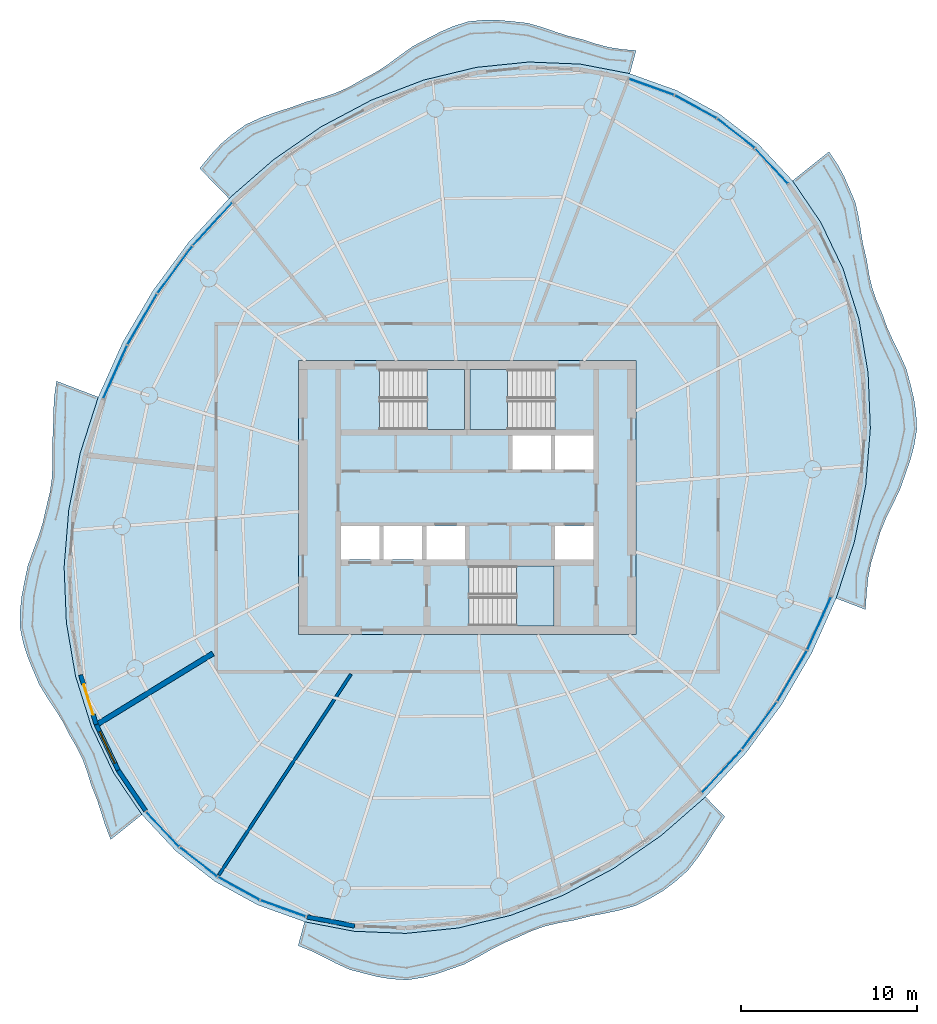
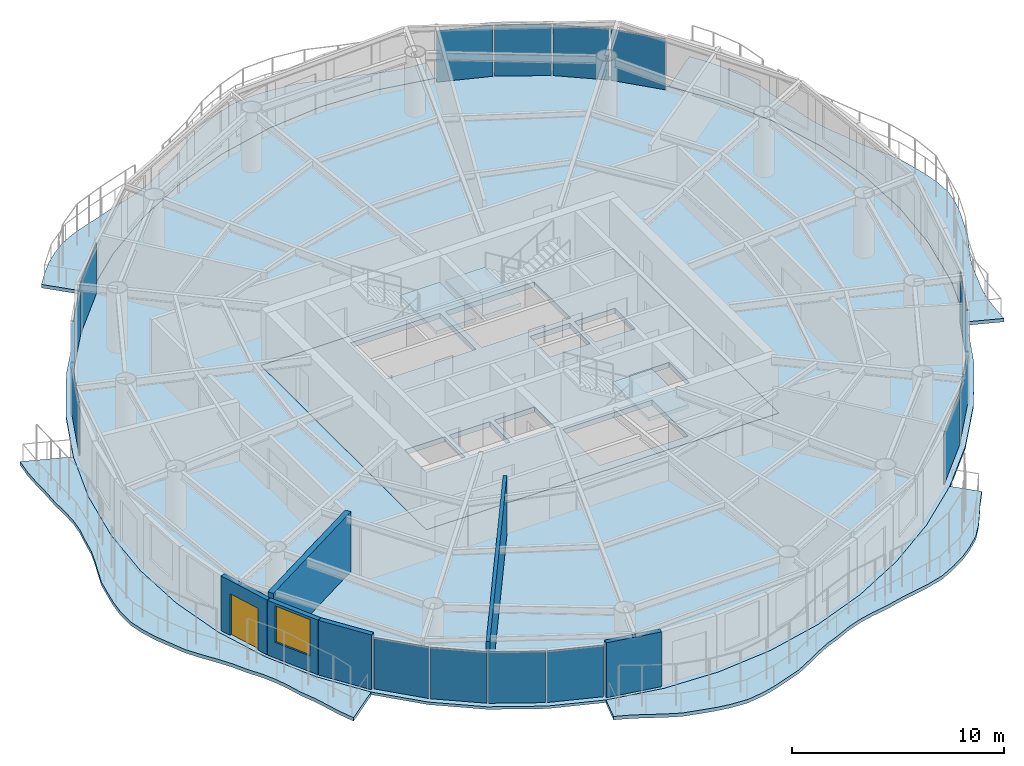
# One storey, part 7 of 15: 16 plates, 9 slabs, 6 walls, 1 door, 1 window, 2 openings, 19 elements without a shape of their own.
"""IFC4 building model written with IfcOpenShell, lengths in metres."""

from ifc_helpers import new_model, si_unit, direction, frame, frame_2d, origin, origin_2d, place, context, subcontext, project, spatial, polyline, rectangle, outline, extrude, material, layer, layer_set, type_object, element, fill, aggregate, save


model = new_model("IFC4")

# Units and contexts
model_context = context("Model", 3, precision=1e-05, world=origin(), true_north=direction((0.0, 1.0)))
body_context = subcontext(model_context, "Body", "Model", "MODEL_VIEW")
ifc_project = project(units=[si_unit("LENGTHUNIT", "METRE"), si_unit("AREAUNIT", "SQUARE_METRE"), si_unit("VOLUMEUNIT", "CUBIC_METRE"), si_unit("PLANEANGLEUNIT", "RADIAN"), si_unit("MASSUNIT", "GRAM", prefix="KILO")], contexts=[model_context])

# Site, building, storey
site_placement = place(None, origin())
site = spatial("IfcSite", under=ifc_project, at=site_placement, CompositionType="ELEMENT")
building_placement = place(site_placement, origin())
building = spatial("IfcBuilding", under=site, at=building_placement, Name="Vermilion Reach Broadcast Tower", CompositionType="ELEMENT")
storey_placement = place(building_placement, frame((0.0, 0.0, 261.300048828125)))
storey = spatial("IfcBuildingStorey", under=building, at=storey_placement, Name="L64", CompositionType="ELEMENT", Elevation=261.300048828125)

# Slabs
ifc_material_1 = material(Name="Concrete C40/50", Category="concrete")
ifc_layer_1 = layer(ifc_material_1, 0.199951171875)
ifc_layer_set_1 = layer_set([ifc_layer_1], Name="Balcony slab 200")
slab_type_1 = type_object("IfcSlabType", Name="Balcony slab 200", PredefinedType="FLOOR", material=ifc_layer_set_1)
placement_1 = place(storey_placement, frame((0.0, 0.0, -0.199951171875)))
element("IfcSlab", 1, at=placement_1, inside=storey, type_object=slab_type_1, Name="Balcony slab L64 group 1", PredefinedType="FLOOR", context=body_context, shape_type="SweptSolid", body=[
    extrude(outline(polyline([(3.257080078125, 24.145751953125), (0.435791015625, 24.686767578125), (-2.495849609375, 24.8056640625), (-5.4873046875, 24.5), (-8.4873046875, 23.775146484375), (-11.445068359375, 22.6435546875), (-14.3095703125, 21.124267578125), (-17.031982421875, 19.243896484375), (-19.5654296875, 17.033935546875), (-21.2333984375, 18.746826171875), (-20.61083984375, 19.51123046875), (-20.034423828125, 20.129150390625), (-19.397705078125, 20.677490234375), (-18.593017578125, 21.25146484375), (-17.697021484375, 21.662109375), (-16.888427734375, 21.94677734375), (-16.065673828125, 22.211181640625), (-15.167724609375, 22.53662109375), (-14.2724609375, 22.784423828125), (-13.491455078125, 23.0419921875), (-12.74755859375, 23.369384765625), (-11.97509765625, 23.809814453125), (-11.20068359375, 24.220458984375), (-10.5234375, 24.665283203125), (-9.862548828125, 25.153564453125), (-9.087646484375, 25.706787109375), (-8.2646484375, 26.138427734375), (-7.559814453125, 26.507568359375), (-6.84228515625, 26.8232421875), (-5.93408203125, 27.112548828125), (-5.00732421875, 27.198486328125), (-4.2509765625, 27.193359375), (-3.48828125, 27.124267578125), (-2.563720703125, 27.022705078125), (-1.68212890625, 26.769287109375), (-0.958251953125, 26.517822265625), (-0.233642578125, 26.2841796875), (0.59716796875, 26.0849609375), (1.385009765625, 25.82373046875), (2.08203125, 25.644775390625), (2.791748046875, 25.532470703125), (3.61767578125, 25.465087890625), (3.257080078125, 24.145751953125)])), origin(), (0.0, 0.0, 1.0), 0.199951171875),
])
element("IfcSlab", 2, at=placement_1, inside=storey, type_object=slab_type_1, Name="Balcony slab L64 group 2", PredefinedType="FLOOR", context=body_context, shape_type="SweptSolid", body=[
    extrude(outline(polyline([(-27.008544921875, 5.728759765625), (-28.037109375, 2.528076171875), (-28.688720703125, -0.7158203125), (-28.951904296875, -3.947509765625), (-28.822509765625, -7.111572265625), (-28.302490234375, -10.154052734375), (-27.401123046875, -13.022705078125), (-26.13330078125, -15.668701171875), (-24.521240234375, -18.04638671875), (-26.297119140625, -19.46240234375), (-26.62646484375, -18.60595703125), (-26.8486328125, -17.888916015625), (-27.079833984375, -17.177978515625), (-27.397705078125, -16.394775390625), (-27.644287109375, -15.5791015625), (-27.90087890625, -14.888916015625), (-28.22119140625, -14.22900390625), (-28.645751953125, -13.513671875), (-29.033447265625, -12.747802734375), (-29.44091796875, -12.087890625), (-29.87744140625, -11.43701171875), (-30.36328125, -10.651611328125), (-30.729736328125, -9.785888671875), (-31.030029296875, -9.054443359375), (-31.26904296875, -8.3125), (-31.46337890625, -7.39013671875), (-31.4580078125, -6.427001953125), (-31.368408203125, -5.631103515625), (-31.2158203125, -4.83251953125), (-31.02734375, -3.905517578125), (-30.705810546875, -2.9912109375), (-30.409912109375, -2.2021484375), (-30.15771484375, -1.409423828125), (-29.96630859375, -0.5361328125), (-29.751708984375, 0.34130859375), (-29.64013671875, 1.16259765625), (-29.6103515625, 2.000244140625), (-29.627197265625, 2.94189453125), (-29.57568359375, 3.9052734375), (-29.560546875, 4.783203125), (-29.521240234375, 5.6533203125), (-29.38623046875, 6.639404296875), (-27.008544921875, 5.728759765625)])), origin(), (0.0, 0.0, 1.0), 0.199951171875),
])
element("IfcSlab", 3, at=placement_1, inside=storey, type_object=slab_type_1, Name="Balcony slab L64 group 3", PredefinedType="FLOOR", context=body_context, shape_type="SweptSolid", body=[
    extrude(outline(polyline([(-15.257080078125, -24.145751953125), (-12.435791015625, -24.686767578125), (-9.504150390625, -24.8056640625), (-6.5126953125, -24.5), (-3.5126953125, -23.775146484375), (-0.554931640625, -22.6435546875), (2.3095703125, -21.124267578125), (5.031982421875, -19.243896484375), (7.5654296875, -17.033935546875), (8.661865234375, -18.16015625), (8.11865234375, -18.947021484375), (7.653076171875, -19.69189453125), (7.177734375, -20.425537109375), (6.565673828125, -21.216552734375), (5.837646484375, -21.865478515625), (5.176513671875, -22.364013671875), (4.46435546875, -22.788330078125), (3.586669921875, -23.225830078125), (2.650390625, -23.4970703125), (1.8232421875, -23.66748046875), (0.991943359375, -23.830322265625), (0.08740234375, -24.056884765625), (-0.801513671875, -24.214111328125), (-1.577880859375, -24.400634765625), (-2.32568359375, -24.661376953125), (-3.122802734375, -25.029541015625), (-3.92431640625, -25.35693359375), (-4.63037109375, -25.72021484375), (-5.327880859375, -26.11865234375), (-6.16015625, -26.56103515625), (-7.02685546875, -26.864501953125), (-7.7568359375, -27.11669921875), (-8.492431640625, -27.31298828125), (-9.4228515625, -27.459716796875), (-10.343505859375, -27.400634765625), (-11.07275390625, -27.28076171875), (-11.799560546875, -27.101318359375), (-12.68798828125, -26.870849609375), (-13.513671875, -26.494140625), (-14.17822265625, -26.145751953125), (-14.84619140625, -25.8154296875), (-15.627685546875, -25.501708984375), (-15.257080078125, -24.145751953125)])), origin(), (0.0, 0.0, 1.0), 0.199951171875),
])
element("IfcSlab", 4, at=placement_1, inside=storey, type_object=slab_type_1, Name="Balcony slab L64 group 4", PredefinedType="FLOOR", context=body_context, shape_type="SweptSolid", body=[
    extrude(outline(polyline([(15.008544921875, -5.728759765625), (16.037109375, -2.528076171875), (16.688720703125, 0.7158203125), (16.951904296875, 3.947509765625), (16.822509765625, 7.111572265625), (16.302490234375, 10.154052734375), (15.401123046875, 13.022705078125), (14.13330078125, 15.668701171875), (12.521240234375, 18.04638671875), (14.59375, 19.698974609375), (15.109375, 18.93359375), (15.45458984375, 18.2998046875), (15.749755859375, 17.63232421875), (16.100341796875, 16.79833984375), (16.298095703125, 15.892578125), (16.413818359375, 15.134521484375), (16.541015625, 14.38232421875), (16.7431640625, 13.552001953125), (16.878173828125, 12.698974609375), (17.04736328125, 11.964111328125), (17.28759765625, 11.25146484375), (17.62451171875, 10.47314453125), (17.923828125, 9.648193359375), (18.256103515625, 8.922119140625), (18.61376953125, 8.200439453125), (18.995361328125, 7.3408203125), (19.24365234375, 6.418212890625), (19.433837890625, 5.6337890625), (19.553466796875, 4.84619140625), (19.598876953125, 3.89404296875), (19.44189453125, 2.931396484375), (19.222412109375, 2.135986328125), (18.946044921875, 1.34521484375), (18.629638671875, 0.44287109375), (18.201416015625, -0.431640625), (17.826171875, -1.199951171875), (17.5087890625, -1.97998046875), (17.255126953125, -2.844970703125), (16.987548828125, -3.71630859375), (16.828125, -4.5478515625), (16.741943359375, -5.40283203125), (16.67626953125, -6.367431640625), (15.008544921875, -5.728759765625)])), origin(), (0.0, 0.0, 1.0), 0.199951171875),
])
ifc_material_2 = material(Name="Concrete C40", Category="concrete")
ifc_layer_2 = layer(ifc_material_2, 0.300048828125)
ifc_layer_set_2 = layer_set([ifc_layer_2], Name="Core floor slab 300 mm Concrete C40")
slab_type_2 = type_object("IfcSlabType", Name="Core floor slab 300 mm Concrete C40", PredefinedType="FLOOR", material=ifc_layer_set_2)
slab_5_placement = place(storey_placement, frame((0.0, 0.0, -0.300048828125)))
element("IfcSlab", 5, at=slab_5_placement, inside=storey, type_object=slab_type_2, Name="L64 core floor", PredefinedType="FLOOR", context=body_context, shape_type="SweptSolid", body=[
    extrude(outline(polyline([(-15.60009765625, -7.800048828125), (3.60009765625, -7.800048828125), (3.60009765625, 7.800048828125), (-15.60009765625, 7.800048828125), (-15.60009765625, -7.800048828125)]), holes=[polyline([(-3.433349609375, 1.60009765625), (-1.24169921875, 1.60009765625), (-1.24169921875, 3.530029296875), (-3.433349609375, 3.530029296875), (-3.433349609375, 1.60009765625)]), polyline([(-0.99169921875, 1.60009765625), (1.199951171875, 1.60009765625), (1.199951171875, 3.530029296875), (-0.99169921875, 3.530029296875), (-0.99169921875, 1.60009765625)]), polyline([(-13.199951171875, -3.530029296875), (-11.00830078125, -3.530029296875), (-11.00830078125, -1.60009765625), (-13.199951171875, -1.60009765625), (-13.199951171875, -3.530029296875)]), polyline([(-10.75830078125, -3.530029296875), (-8.566650390625, -3.530029296875), (-8.566650390625, -1.60009765625), (-10.75830078125, -1.60009765625), (-10.75830078125, -3.530029296875)]), polyline([(-8.316650390625, -3.530029296875), (-6.125, -3.530029296875), (-6.125, -1.60009765625), (-8.316650390625, -1.60009765625), (-8.316650390625, -3.530029296875)]), polyline([(-0.99169921875, -3.530029296875), (1.199951171875, -3.530029296875), (1.199951171875, -1.60009765625), (-0.99169921875, -1.60009765625), (-0.99169921875, -3.530029296875)]), polyline([(-10.999267578125, 3.8798828125), (-6.14990234375, 3.8798828125), (-6.14990234375, 7.300048828125), (-10.999267578125, 7.300048828125), (-10.999267578125, 3.8798828125)]), polyline([(-1.000732421875, 7.300048828125), (-5.85009765625, 7.300048828125), (-5.85009765625, 3.8798828125), (-1.000732421875, 3.8798828125), (-1.000732421875, 7.300048828125)]), polyline([(-5.8994140625, -7.300048828125), (-1.050048828125, -7.300048828125), (-1.050048828125, -3.8798828125), (-5.8994140625, -3.8798828125), (-5.8994140625, -7.300048828125)])]), origin(), (0.0, 0.0, 1.0), 0.300048828125),
])

# Stair, slab
ifc_material_3 = material(Name="Concrete C40", Category="concrete")
stair_type = type_object("IfcStairType", Name="Exit stair RC 22 risers 164 mm", PredefinedType="HALF_TURN_STAIR", material=ifc_material_3)
placement_2 = place(storey_placement, origin())
stair_1 = element("IfcStair", 6, at=placement_2, inside=storey, type_object=stair_type, Name="L64 Exit stair ST1", PredefinedType="HALF_TURN_STAIR")
ifc_material_4 = material(Name="Concrete C40", Category="concrete")
ifc_layer_3 = layer(ifc_material_4, 0.199951171875)
ifc_layer_set_3 = layer_set([ifc_layer_3], Name="Exit stair landing Concrete C40")
slab_type_3 = type_object("IfcSlabType", Name="Exit stair landing Concrete C40", PredefinedType="LANDING", material=ifc_layer_set_3)
placement_3 = place(storey_placement, frame((0.0, 0.0, 1.599853515625)))
slab_6 = element("IfcSlab", 7, at=placement_3, type_object=slab_type_3, Name="ST1 landing 1", PredefinedType="LANDING", context=body_context, shape_type="SweptSolid", body=[
    extrude(outline(polyline([(-8.300048828125, 3.8798828125), (-6.14990234375, 3.8798828125), (-6.14990234375, 7.300048828125), (-8.300048828125, 7.300048828125), (-8.300048828125, 3.8798828125)])), origin(), (0.0, 0.0, 1.0), 0.2001953125),
])
aggregate(stair_1, [slab_6])

stair_2 = element("IfcStair", 8, at=placement_2, inside=storey, type_object=stair_type, Name="L64 Exit stair ST2", PredefinedType="HALF_TURN_STAIR")
slab_7 = element("IfcSlab", 9, at=placement_3, type_object=slab_type_3, Name="ST2 landing 1", PredefinedType="LANDING", context=body_context, shape_type="SweptSolid", body=[
    extrude(outline(polyline([(-3.699951171875, 7.300048828125), (-5.85009765625, 7.300048828125), (-5.85009765625, 3.8798828125), (-3.699951171875, 3.8798828125), (-3.699951171875, 7.300048828125)])), origin(), (0.0, 0.0, 1.0), 0.2001953125),
])
aggregate(stair_2, [slab_7])

stair_3 = element("IfcStair", 10, at=placement_2, inside=storey, type_object=stair_type, Name="L64 Exit stair ST3", PredefinedType="HALF_TURN_STAIR")
slab_8 = element("IfcSlab", 11, at=placement_3, type_object=slab_type_3, Name="ST3 landing 1", PredefinedType="LANDING", context=body_context, shape_type="SweptSolid", body=[
    extrude(outline(polyline([(-3.199951171875, -7.300048828125), (-1.050048828125, -7.300048828125), (-1.050048828125, -3.8798828125), (-3.199951171875, -3.8798828125), (-3.199951171875, -7.300048828125)])), origin(), (0.0, 0.0, 1.0), 0.2001953125),
])
aggregate(stair_3, [slab_8])

# Slab
ifc_material_5 = material(Name="Concrete C40", Category="concrete")
ifc_layer_4 = layer(ifc_material_5, 0.14990234375)
ifc_layer_set_4 = layer_set([ifc_layer_4], Name="Floor slab Concrete C40 composite 150")
slab_type_4 = type_object("IfcSlabType", Name="Floor slab Concrete C40 composite 150", PredefinedType="FLOOR", material=ifc_layer_set_4)
slab_9_placement = place(storey_placement, frame((0.0, 0.0, -0.150146484375)))
element("IfcSlab", 12, at=slab_9_placement, inside=storey, type_object=slab_type_4, Name="Floor slab L64", PredefinedType="FLOOR", context=body_context, shape_type="SweptSolid", body=[
    extrude(outline(polyline([(8.379150390625, 21.840087890625), (5.920166015625, 23.19140625), (3.257080078125, 24.145751953125), (0.435791015625, 24.686767578125), (-2.495849609375, 24.8056640625), (-5.4873046875, 24.5), (-8.4873046875, 23.775146484375), (-11.445068359375, 22.6435546875), (-14.3095703125, 21.124267578125), (-17.031982421875, 19.243896484375), (-19.5654296875, 17.033935546875), (-21.866943359375, 14.53271484375), (-23.896728515625, 11.782958984375), (-25.62060546875, 8.831298828125), (-27.008544921875, 5.728759765625), (-28.037109375, 2.528076171875), (-28.688720703125, -0.7158203125), (-28.951904296875, -3.947509765625), (-28.822509765625, -7.111572265625), (-28.302490234375, -10.154052734375), (-27.401123046875, -13.022705078125), (-26.13330078125, -15.668701171875), (-24.521240234375, -18.04638671875), (-22.592041015625, -20.115478515625), (-20.379150390625, -21.840087890625), (-17.920166015625, -23.19140625), (-15.257080078125, -24.145751953125), (-12.435791015625, -24.686767578125), (-9.504150390625, -24.8056640625), (-6.5126953125, -24.5), (-3.5126953125, -23.775146484375), (-0.554931640625, -22.6435546875), (2.3095703125, -21.124267578125), (5.031982421875, -19.243896484375), (7.5654296875, -17.033935546875), (9.866943359375, -14.53271484375), (11.896728515625, -11.782958984375), (13.62060546875, -8.831298828125), (15.008544921875, -5.728759765625), (16.037109375, -2.528076171875), (16.688720703125, 0.7158203125), (16.951904296875, 3.947509765625), (16.822509765625, 7.111572265625), (16.302490234375, 10.154052734375), (15.401123046875, 13.022705078125), (14.13330078125, 15.668701171875), (12.521240234375, 18.04638671875), (10.592041015625, 20.115478515625), (8.379150390625, 21.840087890625)]), holes=[polyline([(-15.60009765625, -7.800048828125), (3.60009765625, -7.800048828125), (3.60009765625, 7.800048828125), (-15.60009765625, 7.800048828125), (-15.60009765625, -7.800048828125)])]), origin(), (0.0, 0.0, 1.0), 0.150146484375),
])

# Curtain wall, plate
ifc_material_6 = material(Name="Low-e laminated clear glass in aluminium frame", Category="aluminium")
curtain_wall_type = type_object("IfcCurtainWallType", Name="Slot curtain wall", PredefinedType="NOTDEFINED", material=ifc_material_6)
curtain_wall_1 = element("IfcCurtainWall", 13, at=placement_2, inside=storey, type_object=curtain_wall_type, Name="Slot curtain wall L64 46", PredefinedType="NOTDEFINED")
ifc_material_7 = material(Name="Low-e laminated clear glass", Category="glass")
ifc_layer_5 = layer(ifc_material_7, 0.028076171875)
ifc_layer_set_5 = layer_set([ifc_layer_5], Name="Slot glass panel")
plate_type = type_object("IfcPlateType", Name="Slot glass panel", PredefinedType="CURTAIN_PANEL", material=ifc_layer_set_5)
plate_1_placement = place(storey_placement, frame((11.337890625, 18.876708984375, 0.0), z_axis=(0.0, 0.0, 1.0), x_axis=(-0.681940057653, 0.731408065151, 0.0)))
plate_1 = element("IfcPlate", 14, at=plate_1_placement, type_object=plate_type, Name="Slot glass panel L64 46", PredefinedType="CURTAIN_PANEL", context=body_context, shape_type="SweptSolid", body=[
    extrude(rectangle(XDim=2.701904296875, YDim=0.028076171875, at=origin_2d()), origin(), (0.0, 0.0, 1.0), 2.949951171875),
])
aggregate(curtain_wall_1, [plate_1])

curtain_wall_2 = element("IfcCurtainWall", 15, at=placement_2, inside=storey, type_object=curtain_wall_type, Name="Slot curtain wall L64 47", PredefinedType="NOTDEFINED")
plate_2_placement = place(storey_placement, frame((9.3017578125, 20.741943359375, 0.0), z_axis=(0.0, 0.0, 1.0), x_axis=(-0.788727489007, 0.614742993523, 0.0)))
plate_2 = element("IfcPlate", 16, at=plate_2_placement, type_object=plate_type, Name="Slot glass panel L64 47", PredefinedType="CURTAIN_PANEL", context=body_context, shape_type="SweptSolid", body=[
    extrude(rectangle(XDim=2.677978515625, YDim=0.028076171875, at=origin_2d()), origin(), (0.0, 0.0, 1.0), 2.949951171875),
])
aggregate(curtain_wall_2, [plate_2])

curtain_wall_3 = element("IfcCurtainWall", 17, at=placement_2, inside=storey, type_object=curtain_wall_type, Name="Slot curtain wall L64 00", PredefinedType="NOTDEFINED")
plate_3_placement = place(storey_placement, frame((7.005615234375, 22.253662109375, 0.0), z_axis=(0.0, 0.0, 1.0), x_axis=(-0.876418043575, 0.481551049108, 0.0)))
plate_3 = element("IfcPlate", 18, at=plate_3_placement, type_object=plate_type, Name="Slot glass panel L64 00", PredefinedType="CURTAIN_PANEL", context=body_context, shape_type="SweptSolid", body=[
    extrude(rectangle(XDim=2.677978515625, YDim=0.028076171875, at=origin_2d()), origin(), (0.0, 0.0, 1.0), 2.949951171875),
])
aggregate(curtain_wall_3, [plate_3])

curtain_wall_4 = element("IfcCurtainWall", 19, at=placement_2, inside=storey, type_object=curtain_wall_type, Name="Slot curtain wall L64 01", PredefinedType="NOTDEFINED")
plate_4_placement = place(storey_placement, frame((4.487548828125, 23.386962890625, 0.0), z_axis=(0.0, 0.0, 1.0), x_axis=(-0.941379737606, 0.337348765559, 0.0)))
plate_4 = element("IfcPlate", 20, at=plate_4_placement, type_object=plate_type, Name="Slot glass panel L64 01", PredefinedType="CURTAIN_PANEL", context=body_context, shape_type="SweptSolid", body=[
    extrude(rectangle(XDim=2.701904296875, YDim=0.028076171875, at=origin_2d()), origin(), (0.0, 0.0, 1.0), 2.949951171875),
])
aggregate(curtain_wall_4, [plate_4])

curtain_wall_5 = element("IfcCurtainWall", 21, at=placement_2, inside=storey, type_object=curtain_wall_type, Name="Slot curtain wall L64 10", PredefinedType="NOTDEFINED")
plate_5_placement = place(storey_placement, frame((-20.495849609375, 15.58056640625, 0.0), z_axis=(0.0, 0.0, 1.0), x_axis=(-0.67710115871, -0.735889951605, 0.0)))
plate_5 = element("IfcPlate", 22, at=plate_5_placement, type_object=plate_type, Name="Slot glass panel L64 10", PredefinedType="CURTAIN_PANEL", context=body_context, shape_type="SweptSolid", body=[
    extrude(rectangle(XDim=3.286376953125, YDim=0.028076171875, at=origin_2d()), origin(), (0.0, 0.0, 1.0), 2.949951171875),
])
aggregate(curtain_wall_5, [plate_5])

curtain_wall_6 = element("IfcCurtainWall", 23, at=placement_2, inside=storey, type_object=curtain_wall_type, Name="Slot curtain wall L64 11", PredefinedType="NOTDEFINED")
plate_6_placement = place(storey_placement, frame((-22.640869140625, 12.97998046875, 0.0), z_axis=(0.0, 0.0, 1.0), x_axis=(-0.593900899874, -0.804538203648, 0.0)))
plate_6 = element("IfcPlate", 24, at=plate_6_placement, type_object=plate_type, Name="Slot glass panel L64 11", PredefinedType="CURTAIN_PANEL", context=body_context, shape_type="SweptSolid", body=[
    extrude(rectangle(XDim=3.3056640625, YDim=0.028076171875, at=origin_2d()), origin(), (0.0, 0.0, 1.0), 2.949951171875),
])
aggregate(curtain_wall_6, [plate_6])

curtain_wall_7 = element("IfcCurtainWall", 25, at=placement_2, inside=storey, type_object=curtain_wall_type, Name="Slot curtain wall L64 12", PredefinedType="NOTDEFINED")
plate_7_placement = place(storey_placement, frame((-24.5, 10.156005859375, 0.0), z_axis=(0.0, 0.0, 1.0), x_axis=(-0.504311748807, -0.863521661578, 0.0)))
plate_7 = element("IfcPlate", 26, at=plate_7_placement, type_object=plate_type, Name="Slot glass panel L64 12", PredefinedType="CURTAIN_PANEL", context=body_context, shape_type="SweptSolid", body=[
    extrude(rectangle(XDim=3.3056640625, YDim=0.028076171875, at=origin_2d()), origin(), (0.0, 0.0, 1.0), 2.949951171875),
])
aggregate(curtain_wall_7, [plate_7])

curtain_wall_8 = element("IfcCurtainWall", 27, at=placement_2, inside=storey, type_object=curtain_wall_type, Name="Slot curtain wall L64 13", PredefinedType="NOTDEFINED")
plate_8_placement = place(storey_placement, frame((-26.041015625, 7.15771484375, 0.0), z_axis=(0.0, 0.0, 1.0), x_axis=(-0.408369792368, -0.912816582168, 0.0)))
plate_8 = element("IfcPlate", 28, at=plate_8_placement, type_object=plate_type, Name="Slot glass panel L64 13", PredefinedType="CURTAIN_PANEL", context=body_context, shape_type="SweptSolid", body=[
    extrude(rectangle(XDim=3.286376953125, YDim=0.028076171875, at=origin_2d()), origin(), (0.0, 0.0, 1.0), 2.949951171875),
])
aggregate(curtain_wall_8, [plate_8])

curtain_wall_9 = element("IfcCurtainWall", 29, at=placement_2, inside=storey, type_object=curtain_wall_type, Name="Slot curtain wall L64 22", PredefinedType="NOTDEFINED")
plate_9_placement = place(storey_placement, frame((-23.337890625, -18.876708984375, 0.0), z_axis=(0.0, 0.0, 1.0), x_axis=(0.681940057653, -0.731408065151, 0.0)))
plate_9 = element("IfcPlate", 30, at=plate_9_placement, type_object=plate_type, Name="Slot glass panel L64 22", PredefinedType="CURTAIN_PANEL", context=body_context, shape_type="SweptSolid", body=[
    extrude(rectangle(XDim=2.701904296875, YDim=0.028076171875, at=origin_2d()), origin(), (0.0, 0.0, 1.0), 2.949951171875),
])
aggregate(curtain_wall_9, [plate_9])

curtain_wall_10 = element("IfcCurtainWall", 31, at=placement_2, inside=storey, type_object=curtain_wall_type, Name="Slot curtain wall L64 23", PredefinedType="NOTDEFINED")
plate_10_placement = place(storey_placement, frame((-21.3017578125, -20.741943359375, 0.0), z_axis=(0.0, 0.0, 1.0), x_axis=(0.788727489007, -0.614742993523, 0.0)))
plate_10 = element("IfcPlate", 32, at=plate_10_placement, type_object=plate_type, Name="Slot glass panel L64 23", PredefinedType="CURTAIN_PANEL", context=body_context, shape_type="SweptSolid", body=[
    extrude(rectangle(XDim=2.677978515625, YDim=0.028076171875, at=origin_2d()), origin(), (0.0, 0.0, 1.0), 2.949951171875),
])
aggregate(curtain_wall_10, [plate_10])

curtain_wall_11 = element("IfcCurtainWall", 33, at=placement_2, inside=storey, type_object=curtain_wall_type, Name="Slot curtain wall L64 24", PredefinedType="NOTDEFINED")
plate_11_placement = place(storey_placement, frame((-19.005615234375, -22.253662109375, 0.0), z_axis=(0.0, 0.0, 1.0), x_axis=(0.876418043575, -0.481551049108, 0.0)))
plate_11 = element("IfcPlate", 34, at=plate_11_placement, type_object=plate_type, Name="Slot glass panel L64 24", PredefinedType="CURTAIN_PANEL", context=body_context, shape_type="SweptSolid", body=[
    extrude(rectangle(XDim=2.677978515625, YDim=0.028076171875, at=origin_2d()), origin(), (0.0, 0.0, 1.0), 2.949951171875),
])
aggregate(curtain_wall_11, [plate_11])

curtain_wall_12 = element("IfcCurtainWall", 35, at=placement_2, inside=storey, type_object=curtain_wall_type, Name="Slot curtain wall L64 25", PredefinedType="NOTDEFINED")
plate_12_placement = place(storey_placement, frame((-16.487548828125, -23.386962890625, 0.0), z_axis=(0.0, 0.0, 1.0), x_axis=(0.941379737606, -0.337348765559, 0.0)))
plate_12 = element("IfcPlate", 36, at=plate_12_placement, type_object=plate_type, Name="Slot glass panel L64 25", PredefinedType="CURTAIN_PANEL", context=body_context, shape_type="SweptSolid", body=[
    extrude(rectangle(XDim=2.701904296875, YDim=0.028076171875, at=origin_2d()), origin(), (0.0, 0.0, 1.0), 2.949951171875),
])
aggregate(curtain_wall_12, [plate_12])

curtain_wall_13 = element("IfcCurtainWall", 37, at=placement_2, inside=storey, type_object=curtain_wall_type, Name="Slot curtain wall L64 34", PredefinedType="NOTDEFINED")
plate_13_placement = place(storey_placement, frame((8.495849609375, -15.58056640625, 0.0), z_axis=(0.0, 0.0, 1.0), x_axis=(0.67710115871, 0.735889951605, 0.0)))
plate_13 = element("IfcPlate", 38, at=plate_13_placement, type_object=plate_type, Name="Slot glass panel L64 34", PredefinedType="CURTAIN_PANEL", context=body_context, shape_type="SweptSolid", body=[
    extrude(rectangle(XDim=3.286376953125, YDim=0.028076171875, at=origin_2d()), origin(), (0.0, 0.0, 1.0), 2.949951171875),
])
aggregate(curtain_wall_13, [plate_13])

curtain_wall_14 = element("IfcCurtainWall", 39, at=placement_2, inside=storey, type_object=curtain_wall_type, Name="Slot curtain wall L64 35", PredefinedType="NOTDEFINED")
plate_14_placement = place(storey_placement, frame((10.640869140625, -12.97998046875, 0.0), z_axis=(0.0, 0.0, 1.0), x_axis=(0.593900899874, 0.804538203648, 0.0)))
plate_14 = element("IfcPlate", 40, at=plate_14_placement, type_object=plate_type, Name="Slot glass panel L64 35", PredefinedType="CURTAIN_PANEL", context=body_context, shape_type="SweptSolid", body=[
    extrude(rectangle(XDim=3.3056640625, YDim=0.028076171875, at=origin_2d()), origin(), (0.0, 0.0, 1.0), 2.949951171875),
])
aggregate(curtain_wall_14, [plate_14])

curtain_wall_15 = element("IfcCurtainWall", 41, at=placement_2, inside=storey, type_object=curtain_wall_type, Name="Slot curtain wall L64 36", PredefinedType="NOTDEFINED")
plate_15_placement = place(storey_placement, frame((12.5, -10.156005859375, 0.0), z_axis=(0.0, 0.0, 1.0), x_axis=(0.504311748807, 0.863521661578, 0.0)))
plate_15 = element("IfcPlate", 42, at=plate_15_placement, type_object=plate_type, Name="Slot glass panel L64 36", PredefinedType="CURTAIN_PANEL", context=body_context, shape_type="SweptSolid", body=[
    extrude(rectangle(XDim=3.3056640625, YDim=0.028076171875, at=origin_2d()), origin(), (0.0, 0.0, 1.0), 2.949951171875),
])
aggregate(curtain_wall_15, [plate_15])

curtain_wall_16 = element("IfcCurtainWall", 43, at=placement_2, inside=storey, type_object=curtain_wall_type, Name="Slot curtain wall L64 37", PredefinedType="NOTDEFINED")
plate_16_placement = place(storey_placement, frame((14.041015625, -7.15771484375, 0.0), z_axis=(0.0, 0.0, 1.0), x_axis=(0.408369792368, 0.912816582168, 0.0)))
plate_16 = element("IfcPlate", 44, at=plate_16_placement, type_object=plate_type, Name="Slot glass panel L64 37", PredefinedType="CURTAIN_PANEL", context=body_context, shape_type="SweptSolid", body=[
    extrude(rectangle(XDim=3.286376953125, YDim=0.028076171875, at=origin_2d()), origin(), (0.0, 0.0, 1.0), 2.949951171875),
])
aggregate(curtain_wall_16, [plate_16])

# Walls
ifc_material_8 = material(Name="Fire-rated block, plastered")
ifc_layer_6 = layer(ifc_material_8, 0.175048828125)
ifc_layer_set_6 = layer_set([ifc_layer_6], Name="Partition 175 fire-rated block")
wall_type_1 = type_object("IfcWallType", Name="Partition 175 fire-rated block", PredefinedType="PARTITIONING", material=ifc_layer_set_6)
wall_1_placement = place(storey_placement, frame((-20.1455078125, -21.4853515625, 0.0), z_axis=(0.0, 0.0, 1.0), x_axis=(0.549897752102, 0.835231981089, 0.0)))
element("IfcWall", 45, at=wall_1_placement, inside=storey, type_object=wall_type_1, Name="Partition 64.05", PredefinedType="PARTITIONING", context=body_context, shape_type="SweptSolid", body=[
    extrude(rectangle(XDim=13.693603515625, YDim=0.175048828125, at=frame_2d((6.8466796875, 0.0))), origin(), (0.0, 0.0, 1.0), 3.449951171875),
])
ifc_material_9 = material(Name="Double-leaf plasterboard on isolated steel stud", Category="steel")
ifc_layer_7 = layer(ifc_material_9, 0.300048828125)
ifc_layer_set_7 = layer_set([ifc_layer_7], Name="Partition 300 acoustic double leaf")
wall_type_2 = type_object("IfcWallType", Name="Partition 300 acoustic double leaf", PredefinedType="PARTITIONING", material=ifc_layer_set_7)
wall_2_placement = place(storey_placement, frame((-27.005615234375, -12.8671875, 0.0), z_axis=(0.0, 0.0, 1.0), x_axis=(0.852737367146, 0.522339911047, 0.0)))
element("IfcWall", 46, at=wall_2_placement, inside=storey, type_object=wall_type_2, Name="Partition 64.04", PredefinedType="PARTITIONING", context=body_context, shape_type="SweptSolid", body=[
    extrude(rectangle(XDim=7.654541015625, YDim=0.300048828125, at=frame_2d((3.8271484375, 0.0))), origin(), (0.0, 0.0, 1.0), 3.449951171875),
])

# Wall, opening, door
ifc_material_10 = material(Name="Terracotta rainscreen cladding", Category="masonry")
ifc_layer_8 = layer(ifc_material_10, 0.25)
ifc_layer_set_8 = layer_set([ifc_layer_8], Name="Terracotta rainscreen wall 250")
wall_type_3 = type_object("IfcWallType", Name="Terracotta rainscreen wall 250", PredefinedType="SOLIDWALL", material=ifc_layer_set_8)
wall_3_placement = place(storey_placement, frame((-28.007080078125, -10.095703125, 0.0), z_axis=(0.0, 0.0, 1.0), x_axis=(0.299763978955, -0.954013394519, 0.0)))
wall_3 = element("IfcWall", 47, at=wall_3_placement, inside=storey, type_object=wall_type_3, Name="External wall L64 19", PredefinedType="SOLIDWALL", context=body_context, shape_type="SweptSolid", body=[
    extrude(rectangle(XDim=2.940185546875, YDim=0.25, at=frame_2d((1.47021484375, 0.0))), origin(), (0.0, 0.0, 1.0), 3.14990234375),
])
opening_1_placement = place(wall_3_placement, frame((0.570068359375, 0.0, 0.0)))
opening_1 = element("IfcOpeningElement", 48, at=opening_1_placement, cuts=wall_3, Name="Opening D70", PredefinedType="OPENING", context=body_context, shape_type="SweptSolid", body=[
    extrude(rectangle(XDim=1.800048828125, YDim=2.39990234375, at=frame_2d((0.89990234375, 1.199951171875))), frame((0.0, 0.135009765625, 0.0), z_axis=(0.0, -1.0, 0.0), x_axis=(1.0, 0.0, 0.0)), (0.0, 0.0, 1.0), 0.27001953125),
])
ifc_material_11 = material(Name="Low-e laminated clear glass in aluminium frame", Category="aluminium")
door_type = type_object("IfcDoorType", Name="Balcony sliding door 1800 x 2400", OperationType="DOUBLE_DOOR_SLIDING", PredefinedType="DOOR", material=ifc_material_11)
door_placement = place(opening_1_placement, origin())
door = element("IfcDoor", 49, at=door_placement, inside=storey, type_object=door_type, Name="Balcony door L64 run 05", OperationType="DOUBLE_DOOR_SLIDING", OverallHeight=2.39990234375, OverallWidth=1.800048828125, PredefinedType="DOOR", context=body_context, shape_type="SweptSolid", body=[
    extrude(rectangle(XDim=1.800048828125, YDim=2.39990234375, at=frame_2d((0.89990234375, 1.199951171875))), frame((0.0, 0.02490234375, 0.0), z_axis=(0.0, -1.0, 0.0), x_axis=(1.0, 0.0, 0.0)), (0.0, 0.0, 1.0), 0.050048828125),
])
fill(opening_1, door)

# Wall, opening, window
wall_4_placement = place(storey_placement, frame((-27.1162109375, -12.924560546875, 0.0), z_axis=(0.0, 0.0, 1.0), x_axis=(0.432043625995, -0.901852707063, 0.0)))
wall_4 = element("IfcWall", 50, at=wall_4_placement, inside=storey, type_object=wall_type_3, Name="External wall L64 20", PredefinedType="SOLIDWALL", context=body_context, shape_type="SweptSolid", body=[
    extrude(rectangle(XDim=2.86376953125, YDim=0.25, at=frame_2d((1.431884765625, 0.0))), origin(), (0.0, 0.0, 1.0), 3.14990234375),
])
opening_2_placement = place(wall_4_placement, frame((0.431884765625, 0.0, 0.89990234375)))
opening_2 = element("IfcOpeningElement", 51, at=opening_2_placement, cuts=wall_4, Name="Opening W03", PredefinedType="OPENING", context=body_context, shape_type="SweptSolid", body=[
    extrude(rectangle(XDim=2.0, YDim=2.10009765625, at=frame_2d((1.0, 1.050048828125))), frame((0.0, 0.135009765625, 0.0), z_axis=(0.0, -1.0, 0.0), x_axis=(1.0, 0.0, 0.0)), (0.0, 0.0, 1.0), 0.27001953125),
])
ifc_material_12 = material(Name="Low-e laminated clear glass in aluminium frame", Category="aluminium")
window_type = type_object("IfcWindowType", Name="Punched window 2000 x 2100 sill 900", PartitioningType="SINGLE_PANEL", PredefinedType="WINDOW", material=ifc_material_12)
window_placement = place(opening_2_placement, origin())
window = element("IfcWindow", 52, at=window_placement, inside=storey, type_object=window_type, Name="Window L64 20", OverallHeight=2.10009765625, OverallWidth=2.0, PartitioningType="SINGLE_PANEL", PredefinedType="WINDOW", context=body_context, shape_type="SweptSolid", body=[
    extrude(rectangle(XDim=2.0, YDim=2.10009765625, at=frame_2d((1.0, 1.050048828125))), frame((0.0, 0.030029296875, 0.0), z_axis=(0.0, -1.0, 0.0), x_axis=(1.0, 0.0, 0.0)), (0.0, 0.0, 1.0), 0.06005859375),
])
fill(opening_2, window)

# Walls
wall_5_placement = place(storey_placement, frame((-25.86572265625, -15.530517578125, 0.0), z_axis=(0.0, 0.0, 1.0), x_axis=(0.561217901017, -0.827668090226, 0.0)))
element("IfcWall", 53, at=wall_5_placement, inside=storey, type_object=wall_type_3, Name="External wall L64 21", PredefinedType="SOLIDWALL", context=body_context, shape_type="SweptSolid", body=[
    extrude(rectangle(XDim=2.7587890625, YDim=0.25, at=frame_2d((1.37939453125, 0.0))), origin(), (0.0, 0.0, 1.0), 3.14990234375),
])
wall_6_placement = place(storey_placement, frame((-15.124267578125, -23.866455078125, 0.0), z_axis=(0.0, 0.0, 1.0), x_axis=(0.982095327887, -0.188384625018, 0.0)))
element("IfcWall", 54, at=wall_6_placement, inside=storey, type_object=wall_type_3, Name="External wall L64 26", PredefinedType="SOLIDWALL", context=body_context, shape_type="SweptSolid", body=[
    extrude(rectangle(XDim=2.759033203125, YDim=0.25, at=frame_2d((1.37939453125, 0.0))), origin(), (0.0, 0.0, 1.0), 3.14990234375),
])

save(model, "model.ifc")
